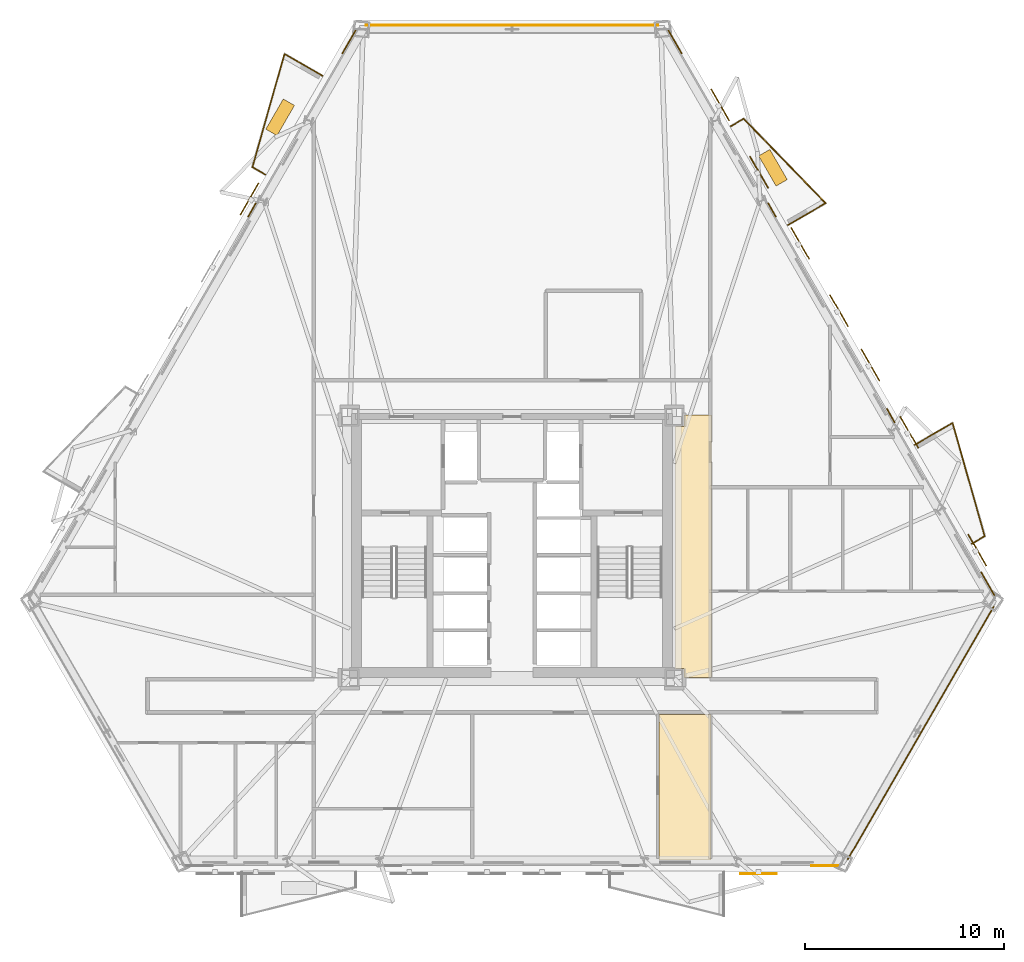
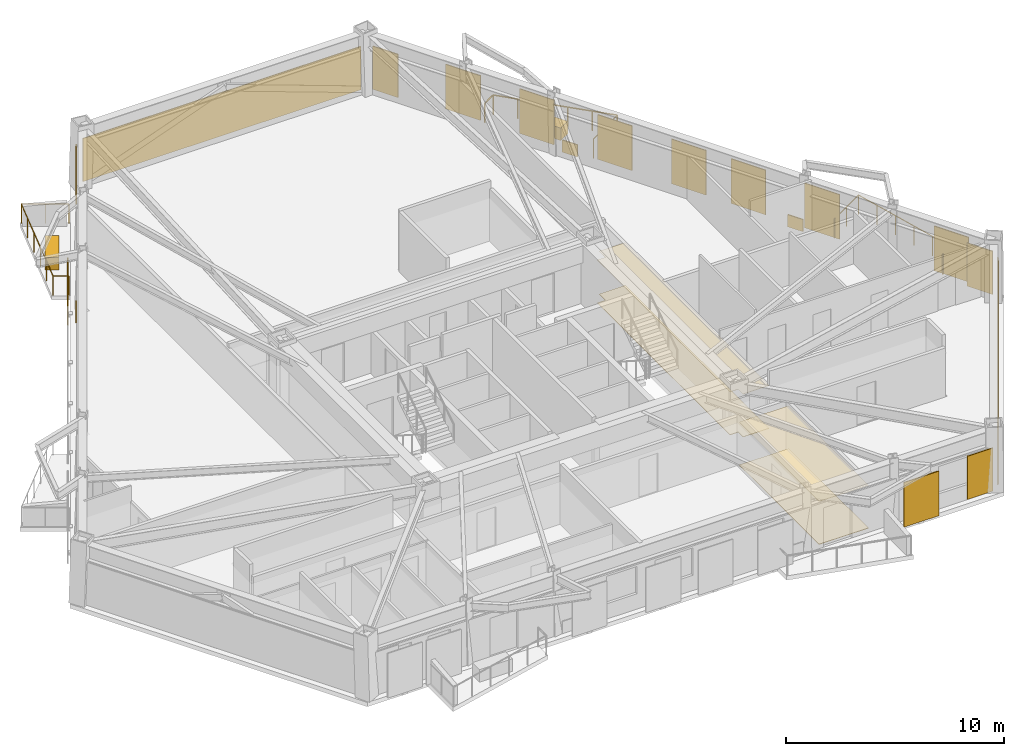
# One storey, part 13 of 13: 15 coverings, 9 railings, 9 shading devices.
"""IFC4 building model written with IfcOpenShell, lengths in metres."""

from ifc_helpers import new_model, si_unit, direction, frame, origin, origin_2d, place, context, subcontext, project, spatial, polyline, rectangle, circle, outline, extrude, material, layer, layer_set, type_object, element, save


model = new_model("IFC4")

# Units and contexts
model_context = context("Model", 3, precision=1e-05, world=origin(), true_north=direction((0.0, 1.0)))
body_context = subcontext(model_context, "Body", "Model", "MODEL_VIEW")
ifc_project = project(units=[si_unit("LENGTHUNIT", "METRE"), si_unit("AREAUNIT", "SQUARE_METRE"), si_unit("VOLUMEUNIT", "CUBIC_METRE"), si_unit("PLANEANGLEUNIT", "RADIAN"), si_unit("MASSUNIT", "GRAM", prefix="KILO")], contexts=[model_context])

# Site, building, storey
site_placement = place(None, origin())
site = spatial("IfcSite", under=ifc_project, at=site_placement, CompositionType="ELEMENT")
building_placement = place(site_placement, origin())
building = spatial("IfcBuilding", under=site, at=building_placement, Name="Oramaril Tower", CompositionType="ELEMENT")
storey_placement = place(building_placement, frame((0.0, 0.0, 41.699951171875)))
storey = spatial("IfcBuildingStorey", under=building, at=storey_placement, Name="L10", CompositionType="ELEMENT", Elevation=41.699951171875)

# Coverings
ifc_material_1 = material(Name="Mineral Fibre Acoustic Ceiling")
ifc_layer_1 = layer(ifc_material_1, 0.02001953125)
ifc_layer_set_1 = layer_set([ifc_layer_1], Name="CVT-CEIL")
covering_type_1 = type_object("IfcCoveringType", Name="CVT-CEIL", PredefinedType="CEILING", material=ifc_layer_set_1)
covering_1_placement = place(storey_placement, frame((0.0, 0.0, 2.400146484375)))
element("IfcCovering", 1, at=covering_1_placement, inside=storey, type_object=covering_type_1, Name="L10 Acoustic Suspended Ceiling 4", PredefinedType="CEILING", context=body_context, shape_type="SweptSolid", body=[
    extrude(outline(polyline([(47.530029296875, 11.050048828125), (46.14501953125, 11.050048828125), (46.14501953125, 11.4951171875), (45.719970703125, 11.4951171875), (45.719970703125, 23.655029296875), (46.14501953125, 23.655029296875), (46.14501953125, 24.219970703125), (47.530029296875, 24.219970703125), (47.530029296875, 11.050048828125)])), origin(), (0.0, 0.0, 1.0), 0.02001953125),
])
covering_2_placement = place(storey_placement, frame((0.0, 0.0, 2.400146484375)))
element("IfcCovering", 2, at=covering_2_placement, inside=storey, type_object=covering_type_1, Name="L10 Acoustic Suspended Ceiling 9", PredefinedType="CEILING", context=body_context, shape_type="SweptSolid", body=[
    extrude(outline(polyline([(47.491943359375, 1.88427734375), (44.883056640625, 1.88427734375), (44.883056640625, 9.199951171875), (47.491943359375, 9.199951171875), (47.491943359375, 1.88427734375)])), origin(), (0.0, 0.0, 1.0), 0.02001953125),
])
ifc_material_2 = material(Name="Warm Cream Limestone", Category="masonry")
ifc_layer_2 = layer(ifc_material_2, 0.050048828125)
ifc_layer_set_2 = layer_set([ifc_layer_2], Name="CVT-CLD")
covering_type_2 = type_object("IfcCoveringType", Name="CVT-CLD", PredefinedType="CLADDING", material=ifc_layer_set_2)
covering_3_placement = place(storey_placement, frame((53.209228515625, 1.583251953125, 0.0400390625), z_axis=(0.0, 0.0, 1.0), x_axis=(1.0, 0.0, 0.0)))
element("IfcCovering", 3, at=covering_3_placement, inside=storey, type_object=covering_type_2, Name="L10 Warm Cream Limestone Cladding", PredefinedType="CLADDING", context=body_context, shape_type="SweptSolid", body=[
    extrude(rectangle(XDim=1.35009765625, YDim=0.050048828125, at=origin_2d()), origin(), (0.0, 0.0, 1.0), 2.4140625),
])
covering_4_placement = place(storey_placement, frame((58.02099609375, 8.252197265625, 0.0400390625), z_axis=(0.0, 0.0, 1.0), x_axis=(0.499996976998, 0.866027149108, 0.0)))
element("IfcCovering", 4, at=covering_4_placement, inside=storey, type_object=covering_type_2, Name="L10 Warm Cream Limestone Cladding", PredefinedType="CLADDING", context=body_context, shape_type="SweptSolid", body=[
    extrude(rectangle(XDim=14.67822265625, YDim=0.050048828125, at=origin_2d()), origin(), (0.0, 0.0, 1.0), 2.4140625),
])
for number, where, z_axis, x_axis, name in (
    (5, (61.390380859375, 15.753662109375, 0.0400390625), (0.0, 0.0, 1.0), (-0.5, 0.866025403784, 0.0), "L10 Warm Cream Limestone Cladding"),
    (6, (45.68115234375, 42.962890625, 0.0400390625), (0.0, 0.0, 1.0), (-0.5, 0.866025403784, 0.0), "L10 Warm Cream Limestone Cladding"),
):
    element("IfcCovering", number, at=place(storey_placement, frame(where, z_axis=z_axis, x_axis=x_axis)), inside=storey, type_object=covering_type_2, Name=name, PredefinedType="CLADDING", context=body_context, shape_type="SweptSolid", body=[
        extrude(rectangle(XDim=1.35009765625, YDim=0.050048828125, at=origin_2d()), origin(), (0.0, 0.0, 1.0), 2.4140625),
    ])
for number, where, z_axis, x_axis, name in (
    (7, (56.5166015625, 24.19580078125, 0.0400390625), (0.0, 0.0, 1.0), (-0.5, 0.866025403784, 0.0), "L10 Warm Cream Limestone Spandrel Cladding"),
    (8, (50.55517578125, 34.52099609375, 0.0400390625), (0.0, 0.0, 1.0), (-0.5, 0.866025403784, 0.0), "L10 Warm Cream Limestone Spandrel Cladding"),
):
    element("IfcCovering", number, at=place(storey_placement, frame(where, z_axis=z_axis, x_axis=x_axis)), inside=storey, type_object=covering_type_2, Name=name, PredefinedType="CLADDING", context=body_context, shape_type="SweptSolid", body=[
        extrude(rectangle(XDim=0.800048828125, YDim=0.050048828125, at=origin_2d()), origin(), (0.0, 0.0, 1.0), 0.679931640625),
    ])
covering_5_placement = place(storey_placement, frame((37.5, 43.795654296875, 0.0400390625), z_axis=(0.0, 0.0, 1.0), x_axis=(-1.0, 0.0, 0.0)))
element("IfcCovering", 9, at=covering_5_placement, inside=storey, type_object=covering_type_2, Name="L10 Warm Cream Limestone Cladding", PredefinedType="CLADDING", context=body_context, shape_type="SweptSolid", body=[
    extrude(rectangle(XDim=14.67822265625, YDim=0.050048828125, at=origin_2d()), origin(), (0.0, 0.0, 1.0), 2.4140625),
])
covering_6_placement = place(storey_placement, frame((29.31884765625, 42.962890625, 0.0400390625), z_axis=(0.0, 0.0, 1.0), x_axis=(-0.5, -0.866025403784, 0.0)))
element("IfcCovering", 10, at=covering_6_placement, inside=storey, type_object=covering_type_2, Name="L10 Warm Cream Limestone Cladding", PredefinedType="CLADDING", context=body_context, shape_type="SweptSolid", body=[
    extrude(rectangle(XDim=1.35009765625, YDim=0.050048828125, at=origin_2d()), origin(), (0.0, 0.0, 1.0), 2.4140625),
])
covering_7_placement = place(storey_placement, frame((24.44482421875, 34.52099609375, 0.0400390625), z_axis=(0.0, 0.0, 1.0), x_axis=(-0.5, -0.866025403784, 0.0)))
element("IfcCovering", 11, at=covering_7_placement, inside=storey, type_object=covering_type_2, Name="L10 Warm Cream Limestone Spandrel Cladding", PredefinedType="CLADDING", context=body_context, shape_type="SweptSolid", body=[
    extrude(rectangle(XDim=0.800048828125, YDim=0.050048828125, at=origin_2d()), origin(), (0.0, 0.0, 1.0), 0.679931640625),
])
for number, where, z_axis, x_axis, name in (
    (12, (50.604248046875, 36.643310546875, 0.0), (0.0, 0.0, 1.0), (-0.500001511499, 0.866024531118, 0.0), "L10 Structural Tree Planter Box L10-BAL-NE2"),
    (13, (25.8583984375, 39.176513671875, 0.0), (0.0, 0.0, 1.0), (-0.500001511499, -0.866024531118, 0.0), "L10 Structural Tree Planter Box L10-BAL-NW1"),
):
    element("IfcCovering", number, at=place(storey_placement, frame(where, z_axis=z_axis, x_axis=x_axis)), inside=storey, type_object=covering_type_2, Name=name, PredefinedType="CLADDING", context=body_context, shape_type="SweptSolid", body=[
        extrude(rectangle(XDim=1.75, YDim=0.64990234375, at=origin_2d()), origin(), (0.0, 0.0, 1.0), 0.699951171875),
    ])
ifc_material_3 = material(Name="Honed Quartzite Stone Flooring", Category="masonry")
ifc_layer_3 = layer(ifc_material_3, 0.02490234375)
ifc_layer_set_3 = layer_set([ifc_layer_3], Name="CVT-FLR")
covering_type_3 = type_object("IfcCoveringType", Name="CVT-FLR", PredefinedType="FLOORING", material=ifc_layer_set_3)
covering_8_placement = place(storey_placement, origin())
element("IfcCovering", 14, at=covering_8_placement, inside=storey, type_object=covering_type_3, Name="L10 Honed Stone Floor Finish 4", PredefinedType="FLOORING", context=body_context, shape_type="SweptSolid", body=[
    extrude(outline(polyline([(47.530029296875, 11.050048828125), (46.14501953125, 11.050048828125), (46.14501953125, 11.4951171875), (45.719970703125, 11.4951171875), (45.719970703125, 23.655029296875), (46.14501953125, 23.655029296875), (46.14501953125, 24.219970703125), (47.530029296875, 24.219970703125), (47.530029296875, 11.050048828125)])), origin(), (0.0, 0.0, 1.0), 0.025146484375),
])
covering_9_placement = place(storey_placement, origin())
element("IfcCovering", 15, at=covering_9_placement, inside=storey, type_object=covering_type_3, Name="L10 Honed Stone Floor Finish 9", PredefinedType="FLOORING", context=body_context, shape_type="SweptSolid", body=[
    extrude(outline(polyline([(47.491943359375, 1.88427734375), (44.883056640625, 1.88427734375), (44.883056640625, 9.199951171875), (47.491943359375, 9.199951171875), (47.491943359375, 1.88427734375)])), origin(), (0.0, 0.0, 1.0), 0.025146484375),
])

# Railings
ifc_material_4 = material(Name="Stainless Steel 316L", Category="steel")
railing_type = type_object("IfcRailingType", Name="RLT-GRD", PredefinedType="GUARDRAIL", material=ifc_material_4)
railing_1_placement = place(storey_placement, frame((57.726318359375, 22.730712890625, 0.0)))
element("IfcRailing", 16, at=railing_1_placement, inside=storey, type_object=railing_type, Name="L10 Balcony Guardrail L10-BAL-NE1.1", PredefinedType="GUARDRAIL", context=body_context, shape_type="SweptSolid", body=[
    extrude(circle(Radius=0.02392578125, at=origin_2d()), frame((0.0, 0.0, 1.076171875), z_axis=(0.866020500697, 0.5000084923, 0.0), x_axis=(-0.5000084923, 0.866020500697, 0.0)), (0.0, 0.0, 1.0), 2.19189453125),
    extrude(circle(Radius=0.02099609375, at=origin_2d()), origin(), (0.0, 0.0, 1.0), 1.052001953125),
    extrude(circle(Radius=0.02099609375, at=origin_2d()), frame((0.94921875, 0.5478515625, 0.0)), (0.0, 0.0, 1.0), 1.052001953125),
    extrude(circle(Radius=0.02099609375, at=origin_2d()), frame((1.898193359375, 1.095947265625, 0.0)), (0.0, 0.0, 1.0), 1.052001953125),
])
railing_2_placement = place(storey_placement, frame((59.62451171875, 23.82666015625, 0.0)))
element("IfcRailing", 17, at=railing_2_placement, inside=storey, type_object=railing_type, Name="L10 Balcony Guardrail L10-BAL-NE1.2", PredefinedType="GUARDRAIL", context=body_context, shape_type="SweptSolid", body=[
    extrude(circle(Radius=0.02392578125, at=origin_2d()), frame((0.0, 0.0, 1.076171875), z_axis=(0.27224886544, -0.962226873074, 0.0), x_axis=(0.962226873074, 0.27224886544, 0.0)), (0.0, 0.0, 1.0), 5.910400390625),
    extrude(circle(Radius=0.02099609375, at=origin_2d()), origin(), (0.0, 0.0, 1.0), 1.052001953125),
    extrude(circle(Radius=0.02099609375, at=origin_2d()), frame((0.32177734375, -1.137451171875, 0.0)), (0.0, 0.0, 1.0), 1.052001953125),
    extrude(circle(Radius=0.02099609375, at=origin_2d()), frame((0.6435546875, -2.27490234375, 0.0)), (0.0, 0.0, 1.0), 1.052001953125),
    extrude(circle(Radius=0.02099609375, at=origin_2d()), frame((0.965576171875, -3.412353515625, 0.0)), (0.0, 0.0, 1.0), 1.052001953125),
    extrude(circle(Radius=0.02099609375, at=origin_2d()), frame((1.287353515625, -4.5498046875, 0.0)), (0.0, 0.0, 1.0), 1.052001953125),
    extrude(circle(Radius=0.02099609375, at=origin_2d()), frame((1.609130859375, -5.687255859375, 0.0)), (0.0, 0.0, 1.0), 1.052001953125),
])
railing_3_placement = place(storey_placement, frame((61.233642578125, 18.139404296875, 0.0)))
element("IfcRailing", 18, at=railing_3_placement, inside=storey, type_object=railing_type, Name="L10 Balcony Guardrail L10-BAL-NE1.3", PredefinedType="GUARDRAIL", context=body_context, shape_type="SweptSolid", body=[
    extrude(circle(Radius=0.02392578125, at=origin_2d()), frame((0.0, 0.0, 1.076171875), z_axis=(-0.865884080729, -0.500244698863, 0.0), x_axis=(0.500244698863, -0.865884080729, 0.0)), (0.0, 0.0, 1.0), 0.741943359375),
    extrude(circle(Radius=0.02099609375, at=origin_2d()), origin(), (0.0, 0.0, 1.0), 1.052001953125),
    extrude(circle(Radius=0.02099609375, at=origin_2d()), frame((-0.642333984375, -0.37109375, 0.0)), (0.0, 0.0, 1.0), 1.052001953125),
])
railing_4_placement = place(storey_placement, frame((48.48876953125, 38.730224609375, 0.0)))
element("IfcRailing", 19, at=railing_4_placement, inside=storey, type_object=railing_type, Name="L10 Balcony Guardrail L10-BAL-NE2.1", PredefinedType="GUARDRAIL", context=body_context, shape_type="SweptSolid", body=[
    extrude(circle(Radius=0.02392578125, at=origin_2d()), frame((0.0, 0.0, 1.076171875), z_axis=(0.865966403178, 0.500102178127, 0.0), x_axis=(-0.500102178127, 0.865966403178, 0.0)), (0.0, 0.0, 1.0), 0.741943359375),
    extrude(circle(Radius=0.02099609375, at=origin_2d()), origin(), (0.0, 0.0, 1.0), 1.052001953125),
    extrude(circle(Radius=0.02099609375, at=origin_2d()), frame((0.642578125, 0.37109375, 0.0)), (0.0, 0.0, 1.0), 1.052001953125),
])
railing_5_placement = place(storey_placement, frame((49.13134765625, 39.101318359375, 0.0)))
element("IfcRailing", 20, at=railing_5_placement, inside=storey, type_object=railing_type, Name="L10 Balcony Guardrail L10-BAL-NE2.2", PredefinedType="GUARDRAIL", context=body_context, shape_type="SweptSolid", body=[
    extrude(circle(Radius=0.02392578125, at=origin_2d()), frame((0.0, 0.0, 1.076171875), z_axis=(0.697186915353, -0.716889395277, 0.0), x_axis=(0.716889395277, 0.697186915353, 0.0)), (0.0, 0.0, 1.0), 5.91064453125),
    extrude(circle(Radius=0.02099609375, at=origin_2d()), origin(), (0.0, 0.0, 1.0), 1.052001953125),
    extrude(circle(Radius=0.02099609375, at=origin_2d()), frame((0.82421875, -0.847412109375, 0.0)), (0.0, 0.0, 1.0), 1.052001953125),
    extrude(circle(Radius=0.02099609375, at=origin_2d()), frame((1.6484375, -1.69482421875, 0.0)), (0.0, 0.0, 1.0), 1.052001953125),
    extrude(circle(Radius=0.02099609375, at=origin_2d()), frame((2.472412109375, -2.54248046875, 0.0)), (0.0, 0.0, 1.0), 1.052001953125),
    extrude(circle(Radius=0.02099609375, at=origin_2d()), frame((3.296630859375, -3.389892578125, 0.0)), (0.0, 0.0, 1.0), 1.052001953125),
    extrude(circle(Radius=0.02099609375, at=origin_2d()), frame((4.120849609375, -4.2373046875, 0.0)), (0.0, 0.0, 1.0), 1.052001953125),
])
railing_6_placement = place(storey_placement, frame((53.252197265625, 34.864013671875, 0.0)))
element("IfcRailing", 21, at=railing_6_placement, inside=storey, type_object=railing_type, Name="L10 Balcony Guardrail L10-BAL-NE2.3", PredefinedType="GUARDRAIL", context=body_context, shape_type="SweptSolid", body=[
    extrude(circle(Radius=0.02392578125, at=origin_2d()), frame((0.0, 0.0, 1.076171875), z_axis=(-0.866048343933, -0.499960264392, 0.0), x_axis=(0.499960264392, -0.866048343933, 0.0)), (0.0, 0.0, 1.0), 2.192138671875),
    extrude(circle(Radius=0.02099609375, at=origin_2d()), origin(), (0.0, 0.0, 1.0), 1.052001953125),
    extrude(circle(Radius=0.02099609375, at=origin_2d()), frame((-0.94921875, -0.5478515625, 0.0)), (0.0, 0.0, 1.0), 1.052001953125),
    extrude(circle(Radius=0.02099609375, at=origin_2d()), frame((-1.8984375, -1.095947265625, 0.0)), (0.0, 0.0, 1.0), 1.052001953125),
])
railing_7_placement = place(storey_placement, frame((25.108642578125, 36.301025390625, 0.0)))
element("IfcRailing", 22, at=railing_7_placement, inside=storey, type_object=railing_type, Name="L10 Balcony Guardrail L10-BAL-NW1.1", PredefinedType="GUARDRAIL", context=body_context, shape_type="SweptSolid", body=[
    extrude(circle(Radius=0.02392578125, at=origin_2d()), frame((0.0, 0.0, 1.076171875), z_axis=(-0.865884080729, 0.500244698863, 0.0), x_axis=(-0.500244698863, -0.865884080729, 0.0)), (0.0, 0.0, 1.0), 0.741943359375),
    extrude(circle(Radius=0.02099609375, at=origin_2d()), origin(), (0.0, 0.0, 1.0), 1.052001953125),
    extrude(circle(Radius=0.02099609375, at=origin_2d()), frame((-0.642333984375, 0.37109375, 0.0)), (0.0, 0.0, 1.0), 1.052001953125),
])
railing_8_placement = place(storey_placement, frame((24.46630859375, 36.672119140625, 0.0)))
element("IfcRailing", 23, at=railing_8_placement, inside=storey, type_object=railing_type, Name="L10 Balcony Guardrail L10-BAL-NW1.2", PredefinedType="GUARDRAIL", context=body_context, shape_type="SweptSolid", body=[
    extrude(circle(Radius=0.02392578125, at=origin_2d()), frame((0.0, 0.0, 1.076171875), z_axis=(0.27224886544, 0.962226873074, 0.0), x_axis=(-0.962226873074, 0.27224886544, 0.0)), (0.0, 0.0, 1.0), 5.910400390625),
    extrude(circle(Radius=0.02099609375, at=origin_2d()), origin(), (0.0, 0.0, 1.0), 1.052001953125),
    extrude(circle(Radius=0.02099609375, at=origin_2d()), frame((0.32177734375, 1.137451171875, 0.0)), (0.0, 0.0, 1.0), 1.052001953125),
    extrude(circle(Radius=0.02099609375, at=origin_2d()), frame((0.6435546875, 2.27490234375, 0.0)), (0.0, 0.0, 1.0), 1.052001953125),
    extrude(circle(Radius=0.02099609375, at=origin_2d()), frame((0.965576171875, 3.412353515625, 0.0)), (0.0, 0.0, 1.0), 1.052001953125),
    extrude(circle(Radius=0.02099609375, at=origin_2d()), frame((1.287353515625, 4.5498046875, 0.0)), (0.0, 0.0, 1.0), 1.052001953125),
    extrude(circle(Radius=0.02099609375, at=origin_2d()), frame((1.609130859375, 5.687255859375, 0.0)), (0.0, 0.0, 1.0), 1.052001953125),
])
railing_9_placement = place(storey_placement, frame((26.075439453125, 42.359375, 0.0)))
element("IfcRailing", 24, at=railing_9_placement, inside=storey, type_object=railing_type, Name="L10 Balcony Guardrail L10-BAL-NW1.3", PredefinedType="GUARDRAIL", context=body_context, shape_type="SweptSolid", body=[
    extrude(circle(Radius=0.02392578125, at=origin_2d()), frame((0.0, 0.0, 1.076171875), z_axis=(0.865972267571, -0.50009202333, 0.0), x_axis=(0.50009202333, 0.865972267571, 0.0)), (0.0, 0.0, 1.0), 2.19189453125),
    extrude(circle(Radius=0.02099609375, at=origin_2d()), origin(), (0.0, 0.0, 1.0), 1.052001953125),
    extrude(circle(Radius=0.02099609375, at=origin_2d()), frame((0.94921875, -0.548095703125, 0.0)), (0.0, 0.0, 1.0), 1.052001953125),
    extrude(circle(Radius=0.02099609375, at=origin_2d()), frame((1.898193359375, -1.09619140625, 0.0)), (0.0, 0.0, 1.0), 1.052001953125),
])

# Shading devices
for number, where, z_axis, x_axis, name in (
    (25, (49.88134765625, 1.1962890625, -0.02001953125), (0.0, 0.0, 1.0), (1.0, 0.0, 0.0), "L10 Perforated Ceramic Solar Screen"),
    (26, (60.86376953125, 17.440185546875, -0.02001953125), (0.0, 0.0, 1.0), (-0.5, 0.866025403784, 0.0), "L10 Perforated Ceramic Solar Screen"),
    (27, (53.920166015625, 29.466796875, -0.02001953125), (0.0, 0.0, 1.0), (-0.5, 0.866025403784, 0.0), "L10 Perforated Ceramic Solar Screen"),
    (28, (51.97021484375, 32.84423828125, -0.02001953125), (0.0, 0.0, 1.0), (-0.5, 0.866025403784, 0.0), "L10 Perforated Ceramic Solar Screen"),
    (29, (49.90576171875, 36.419921875, -0.02001953125), (0.0, 0.0, 1.0), (-0.5, 0.866025403784, 0.0), "L10 Perforated Ceramic Solar Screen"),
    (30, (47.955810546875, 39.79736328125, -0.02001953125), (0.0, 0.0, 1.0), (-0.5, 0.866025403784, 0.0), "L10 Perforated Ceramic Solar Screen"),
    (31, (57.44677734375, 23.358642578125, -0.02001953125), (0.0, 0.0, 1.0), (-0.5, 0.866025403784, 0.0), "L10 Perforated Ceramic Solar Screen"),
    (32, (55.49658203125, 26.736083984375, -0.02001953125), (0.0, 0.0, 1.0), (-0.5, 0.866025403784, 0.0), "L10 Perforated Ceramic Solar Screen"),
    (33, (24.31787109375, 35.0751953125, -0.02001953125), (0.0, 0.0, 1.0), (-0.5, -0.866025403784, 0.0), "L10 Perforated Ceramic Solar Screen"),
):
    element("IfcShadingDevice", number, at=place(storey_placement, frame(where, z_axis=z_axis, x_axis=x_axis)), inside=storey, Name=name, ObjectType="SCREEN", PredefinedType="USERDEFINED", context=body_context, shape_type="SweptSolid", body=[
        extrude(rectangle(XDim=1.8330078125, YDim=0.050048828125, at=origin_2d()), origin(), (0.0, 0.0, 1.0), 2.493896484375),
    ])

save(model, "model.ifc")
